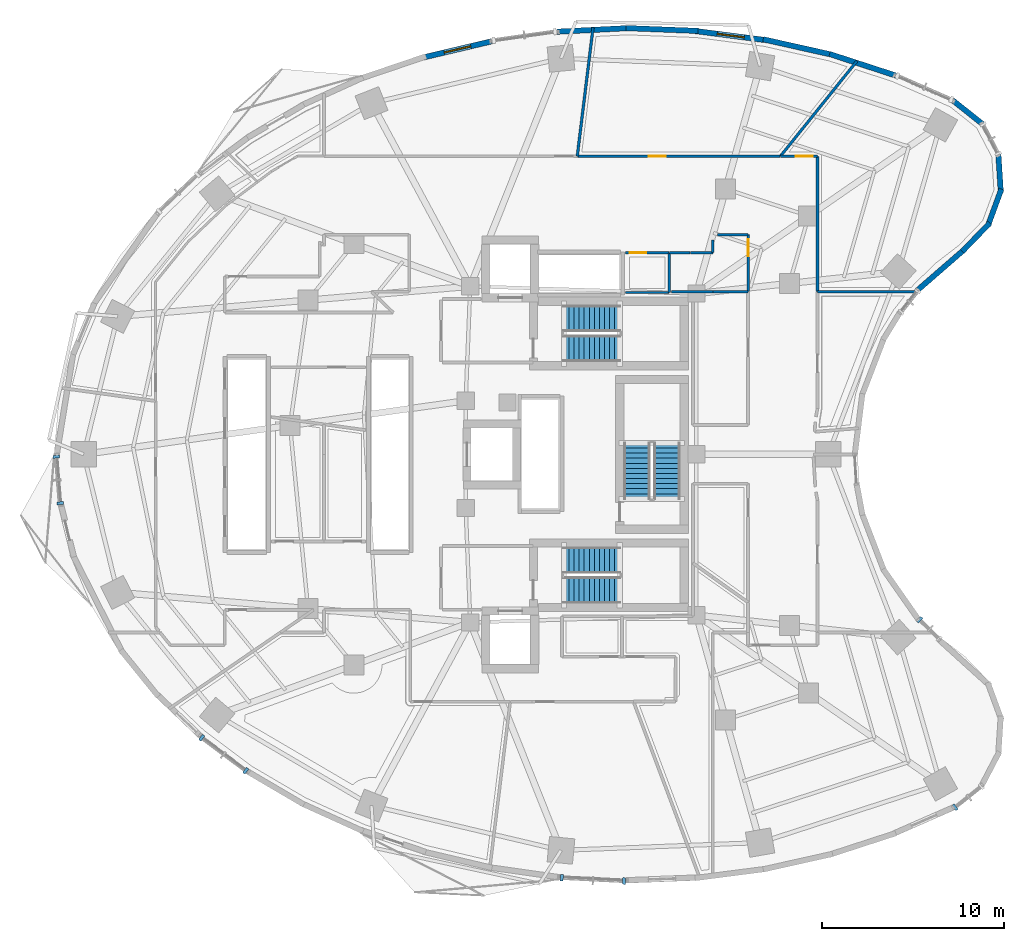
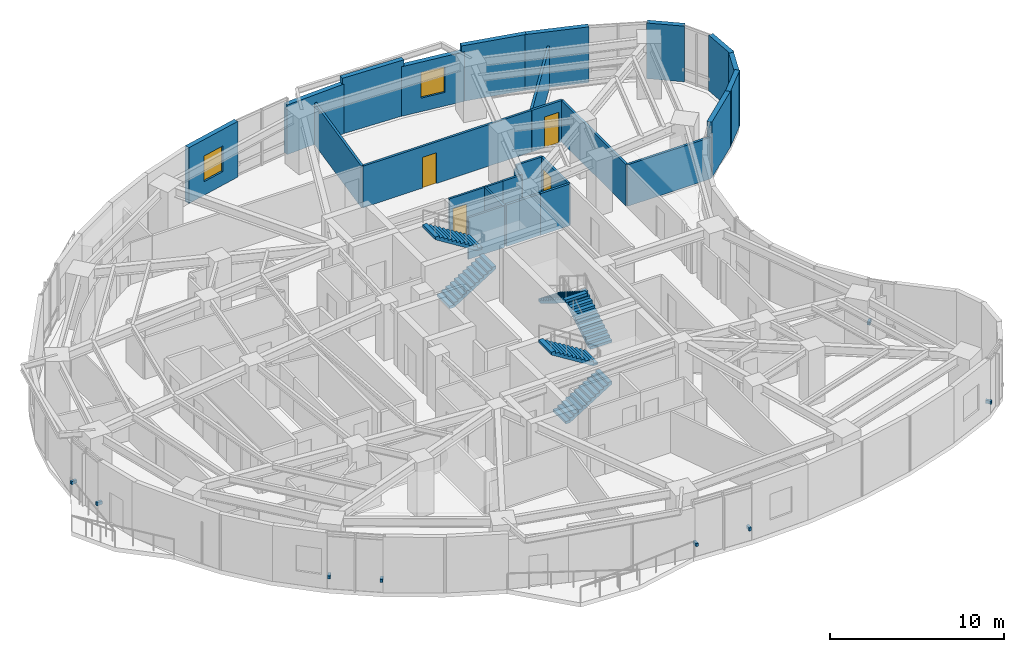
# One storey, part 12 of 16: 27 walls, 8 discrete accessories, 6 stair flights, 4 doors, 2 windows, 6 openings, 3 elements without a shape of their own.
"""IFC4 building model written with IfcOpenShell, lengths in metres."""

from ifc_helpers import new_model, si_unit, direction, frame, frame_2d, origin, origin_2d, place, context, subcontext, project, spatial, polyline, rectangle, outline, extrude, material, layer, layer_set, type_object, element, fill, aggregate, save


model = new_model("IFC4")

# Units and contexts
model_context = context("Model", 3, precision=1e-05, world=origin(), true_north=direction((0.0, 1.0)))
body_context = subcontext(model_context, "Body", "Model", "MODEL_VIEW")
ifc_project = project(units=[si_unit("LENGTHUNIT", "METRE"), si_unit("AREAUNIT", "SQUARE_METRE"), si_unit("VOLUMEUNIT", "CUBIC_METRE"), si_unit("PLANEANGLEUNIT", "RADIAN"), si_unit("MASSUNIT", "GRAM", prefix="KILO")], contexts=[model_context])

# Site, building, storey
site_placement = place(None, origin())
site = spatial("IfcSite", under=ifc_project, at=site_placement, CompositionType="ELEMENT")
building_placement = place(site_placement, origin())
building = spatial("IfcBuilding", under=site, at=building_placement, Name="Korentha Bioscience Tower", CompositionType="ELEMENT")
storey_placement = place(building_placement, frame((0.0, 0.0, 55.199951171875)))
storey = spatial("IfcBuildingStorey", under=building, at=storey_placement, Name="L12", CompositionType="ELEMENT", Elevation=55.199951171875)

# Wall, opening, door
ifc_material_1 = material(Name="Double-Stud Acoustic Gypsum", Category="gypsum")
ifc_layer_1 = layer(ifc_material_1, 0.14990234375, Name="Double-Stud Acoustic Gypsum")
ifc_layer_set_1 = layer_set([ifc_layer_1], Name="Double-Stud Acoustic Gypsum (IW-L150)")
wall_type_1 = type_object("IfcWallType", Name="Acoustic Laboratory Partition Wall 150", PredefinedType="PARTITIONING", material=ifc_layer_set_1)
wall_1_placement = place(storey_placement, frame((44.199951171875, 43.409912109375, 0.0), z_axis=(0.0, 0.0, 1.0), x_axis=(-1.0, 0.0, 0.0)))
wall_1 = element("IfcWall", 1, at=wall_1_placement, inside=storey, type_object=wall_type_1, Name="L12 Proteomics Crystallography Laboratory 13 Entrance Wall", PredefinedType="PARTITIONING", context=body_context, shape_type="SweptSolid", body=[
    extrude(rectangle(XDim=2.02978515625, YDim=0.14990234375, at=frame_2d((1.014892578125, 0.0))), origin(), (0.0, 0.0, 1.0), 2.91015625),
])
opening_1_placement = place(wall_1_placement, frame((0.239990234375, 0.0, 0.0)))
opening_1 = element("IfcOpeningElement", 2, at=opening_1_placement, cuts=wall_1, Name="Opening ID-10L", PredefinedType="OPENING", context=body_context, shape_type="SweptSolid", body=[
    extrude(rectangle(XDim=0.949951171875, YDim=2.14990234375, at=frame_2d((0.47509765625, 1.074951171875))), frame((0.0, 0.08984375, 0.0), z_axis=(0.0, -1.0, 0.0), x_axis=(1.0, 0.0, 0.0)), (0.0, 0.0, 1.0), 0.1796875),
])
ifc_material_2 = material(Name="Phenolic Laminate Timber Core", Category="wood")
door_type_1 = type_object("IfcDoorType", Name="Laboratory Single Leaf Door 950x2150 Left", OperationType="SINGLE_SWING_LEFT", PredefinedType="DOOR", material=ifc_material_2)
door_1_placement = place(opening_1_placement, origin())
door_1 = element("IfcDoor", 3, at=door_1_placement, inside=storey, type_object=door_type_1, Name="L12 Proteomics Crystallography Laboratory 13 Door", OperationType="SINGLE_SWING_LEFT", OverallHeight=2.14990234375, OverallWidth=0.949951171875, PredefinedType="DOOR", context=body_context, shape_type="SweptSolid", body=[
    extrude(rectangle(XDim=0.949951171875, YDim=2.14990234375, at=frame_2d((0.47509765625, 1.074951171875))), frame((0.0, 0.02490234375, 0.0), z_axis=(0.0, -1.0, 0.0), x_axis=(1.0, 0.0, 0.0)), (0.0, 0.0, 1.0), 0.050048828125),
])
fill(opening_1, door_1)

wall_2_placement = place(storey_placement, frame((42.16015625, 43.409912109375, 0.0), z_axis=(0.0, 0.0, 1.0), x_axis=(-1.0, 0.0, 0.0)))
wall_2 = element("IfcWall", 4, at=wall_2_placement, inside=storey, type_object=wall_type_1, Name="L12 Peptide Synthesis Wet Lab 15 Entrance Wall", PredefinedType="PARTITIONING", context=body_context, shape_type="SweptSolid", body=[
    extrude(rectangle(XDim=11.169677734375, YDim=0.14990234375, at=frame_2d((5.5849609375, 0.0))), origin(), (0.0, 0.0, 1.0), 2.91015625),
])
opening_2_placement = place(wall_2_placement, frame((6.292236328125, 0.0, 0.0)))
opening_2 = element("IfcOpeningElement", 5, at=opening_2_placement, cuts=wall_2, Name="Opening ID-10L", PredefinedType="OPENING", context=body_context, shape_type="SweptSolid", body=[
    extrude(rectangle(XDim=0.949951171875, YDim=2.14990234375, at=frame_2d((0.47509765625, 1.074951171875))), frame((0.0, 0.08984375, 0.0), z_axis=(0.0, -1.0, 0.0), x_axis=(1.0, 0.0, 0.0)), (0.0, 0.0, 1.0), 0.1796875),
])
door_2_placement = place(opening_2_placement, origin())
door_2 = element("IfcDoor", 6, at=door_2_placement, inside=storey, type_object=door_type_1, Name="L12 Peptide Synthesis Wet Lab 15 Door", OperationType="SINGLE_SWING_LEFT", OverallHeight=2.14990234375, OverallWidth=0.949951171875, PredefinedType="DOOR", context=body_context, shape_type="SweptSolid", body=[
    extrude(rectangle(XDim=0.949951171875, YDim=2.14990234375, at=frame_2d((0.47509765625, 1.074951171875))), frame((0.0, 0.02490234375, 0.0), z_axis=(0.0, -1.0, 0.0), x_axis=(1.0, 0.0, 0.0)), (0.0, 0.0, 1.0), 0.050048828125),
])
fill(opening_2, door_2)

# Walls
wall_3_placement = place(storey_placement, frame((44.2099609375, 35.947998046875, 0.0), z_axis=(0.0, 0.0, 1.0), x_axis=(1.0, 0.0, 0.0)))
element("IfcWall", 7, at=wall_3_placement, inside=storey, type_object=wall_type_1, Name="L12 Interior Partition 069", PredefinedType="PARTITIONING", context=body_context, shape_type="SweptSolid", body=[
    extrude(rectangle(XDim=5.5283203125, YDim=0.14990234375, at=frame_2d((2.76416015625, 0.0))), origin(), (0.0, 0.0, 1.0), 2.91015625),
])
wall_4_placement = place(storey_placement, frame((44.2099609375, 35.9580078125, 0.0), z_axis=(0.0, 0.0, 1.0), x_axis=(0.0, 1.0, 0.0)))
element("IfcWall", 8, at=wall_4_placement, inside=storey, type_object=wall_type_1, Name="L12 Interior Partition 074", PredefinedType="PARTITIONING", context=body_context, shape_type="SweptSolid", body=[
    extrude(rectangle(XDim=7.44189453125, YDim=0.14990234375, at=frame_2d((3.720947265625, 0.0))), origin(), (0.0, 0.0, 1.0), 2.91015625),
])
wall_5_placement = place(storey_placement, frame((42.170166015625, 43.409912109375, 0.0), z_axis=(0.0, 0.0, 1.0), x_axis=(0.626591923984, 0.779347522481, 0.0)))
element("IfcWall", 9, at=wall_5_placement, inside=storey, type_object=wall_type_1, Name="L12 Interior Partition 075", PredefinedType="PARTITIONING", context=body_context, shape_type="SweptSolid", body=[
    extrude(rectangle(XDim=6.72705078125, YDim=0.14990234375, at=frame_2d((3.363525390625, 0.0))), origin(), (0.0, 0.0, 1.0), 2.91015625),
])
wall_6_placement = place(storey_placement, frame((30.990478515625, 43.409912109375, 0.0), z_axis=(0.0, 0.0, 1.0), x_axis=(0.121849241754, 0.992548619607, 0.0)))
element("IfcWall", 10, at=wall_6_placement, inside=storey, type_object=wall_type_1, Name="L12 Interior Partition 082", PredefinedType="PARTITIONING", context=body_context, shape_type="SweptSolid", body=[
    extrude(rectangle(XDim=7.122802734375, YDim=0.14990234375, at=frame_2d((3.5615234375, 0.0))), origin(), (0.0, 0.0, 1.0), 2.91015625),
])

# Wall, opening, door
ifc_material_3 = material(Name="Insulated Aluminium Honeycomb Panel", Category="aluminium")
ifc_layer_2 = layer(ifc_material_3, 0.139892578125, Name="Insulated Aluminium Honeycomb Panel")
ifc_layer_set_2 = layer_set([ifc_layer_2], Name="Insulated Aluminium Honeycomb Panel (IW-F60)")
wall_type_2 = type_object("IfcWallType", Name="Cleanroom Flush Metal Panel Partition 140", PredefinedType="PARTITIONING", material=ifc_layer_set_2)
wall_7_placement = place(storey_placement, frame((40.389892578125, 39.090087890625, 0.0), z_axis=(0.0, 0.0, 1.0), x_axis=(0.0, -1.0, 0.0)))
wall_7 = element("IfcWall", 11, at=wall_7_placement, inside=storey, type_object=wall_type_2, Name="L12 NMR Spectroscopy Shielded Room 14 Entrance Wall", PredefinedType="PARTITIONING", context=body_context, shape_type="SweptSolid", body=[
    extrude(rectangle(XDim=3.132080078125, YDim=0.139892578125, at=frame_2d((1.56591796875, 0.0))), origin(), (0.0, 0.0, 1.0), 2.91015625),
])
opening_3_placement = place(wall_7_placement, frame((0.239990234375, 0.0, 0.0)))
opening_3 = element("IfcOpeningElement", 12, at=opening_3_placement, cuts=wall_7, Name="Opening ID-10R", PredefinedType="OPENING", context=body_context, shape_type="SweptSolid", body=[
    extrude(rectangle(XDim=0.949951171875, YDim=2.14990234375, at=frame_2d((0.47509765625, 1.074951171875))), frame((0.0, 0.0849609375, 0.0), z_axis=(0.0, -1.0, 0.0), x_axis=(1.0, 0.0, 0.0)), (0.0, 0.0, 1.0), 0.169677734375),
])
door_type_2 = type_object("IfcDoorType", Name="Laboratory Single Leaf Door 950x2150 Right", OperationType="SINGLE_SWING_RIGHT", PredefinedType="DOOR", material=ifc_material_2)
door_3_placement = place(opening_3_placement, origin())
door_3 = element("IfcDoor", 13, at=door_3_placement, inside=storey, type_object=door_type_2, Name="L12 NMR Spectroscopy Shielded Room 14 Door", OperationType="SINGLE_SWING_RIGHT", OverallHeight=2.14990234375, OverallWidth=0.949951171875, PredefinedType="DOOR", context=body_context, shape_type="SweptSolid", body=[
    extrude(rectangle(XDim=0.949951171875, YDim=2.14990234375, at=frame_2d((0.47509765625, 1.074951171875))), frame((0.0, 0.02490234375, 0.0), z_axis=(0.0, -1.0, 0.0), x_axis=(1.0, 0.0, 0.0)), (0.0, 0.0, 1.0), 0.050048828125),
])
fill(opening_3, door_3)

# Walls
wall_8_placement = place(storey_placement, frame((38.455078125, 38.789306640625, 0.0), z_axis=(0.0, 0.0, 1.0), x_axis=(-0.010272217479, -0.999947239382, 0.0)))
element("IfcWall", 14, at=wall_8_placement, inside=storey, type_object=wall_type_2, Name="L12 Interior Partition 076", PredefinedType="PARTITIONING", context=body_context, shape_type="SweptSolid", body=[
    extrude(rectangle(XDim=0.689208984375, YDim=0.139892578125, at=frame_2d((0.3447265625, 0.0))), origin(), (0.0, 0.0, 1.0), 2.91015625),
])
wall_9_placement = place(storey_placement, frame((38.69677734375, 39.090087890625, 0.0), z_axis=(0.0, 0.0, 1.0), x_axis=(1.0, 0.0, 0.0)))
element("IfcWall", 15, at=wall_9_placement, inside=storey, type_object=wall_type_2, Name="L12 Interior Partition 077", PredefinedType="PARTITIONING", context=body_context, shape_type="SweptSolid", body=[
    extrude(rectangle(XDim=1.693115234375, YDim=0.139892578125, at=frame_2d((0.8466796875, 0.0))), origin(), (0.0, 0.0, 1.0), 2.91015625),
])
wall_10_placement = place(storey_placement, frame((36.06005859375, 38.090087890625, 0.0), z_axis=(0.0, 0.0, 1.0), x_axis=(1.0, 0.0, 0.0)))
element("IfcWall", 16, at=wall_10_placement, inside=storey, type_object=wall_type_2, Name="L12 Interior Partition 078", PredefinedType="PARTITIONING", context=body_context, shape_type="SweptSolid", body=[
    extrude(rectangle(XDim=1.139892578125, YDim=0.139892578125, at=frame_2d((0.56982421875, 0.0))), origin(), (0.0, 0.0, 1.0), 2.91015625),
])
wall_11_placement = place(storey_placement, frame((37.2099609375, 38.10009765625, 0.0), z_axis=(0.0, 0.0, 1.0), x_axis=(1.0, 0.0, 0.0)))
element("IfcWall", 17, at=wall_11_placement, inside=storey, type_object=wall_type_2, Name="L12 Interior Partition 080", PredefinedType="PARTITIONING", context=body_context, shape_type="SweptSolid", body=[
    extrude(rectangle(XDim=1.238037109375, YDim=0.139892578125, at=frame_2d((0.619140625, 0.0))), origin(), (0.0, 0.0, 1.0), 2.91015625),
])
ifc_material_4 = material(Name="Gypsum-Clad Steel Stud", Category="steel")
ifc_layer_3 = layer(ifc_material_4, 0.159912109375, Name="Gypsum-Clad Steel Stud")
ifc_layer_set_3 = layer_set([ifc_layer_3], Name="Gypsum-Clad Steel Stud (IW-C160)")
wall_type_3 = type_object("IfcWallType", Name="Fire-Rated Corridor Partition Wall 160", PredefinedType="PARTITIONING", material=ifc_layer_set_3)
wall_12_placement = place(storey_placement, frame((36.170654296875, 35.947998046875, 0.0), z_axis=(0.0, 0.0, 1.0), x_axis=(1.0, 0.0, 0.0)))
element("IfcWall", 18, at=wall_12_placement, inside=storey, type_object=wall_type_3, Name="L12 Interior Partition 070", PredefinedType="PARTITIONING", context=body_context, shape_type="SweptSolid", body=[
    extrude(rectangle(XDim=2.27734375, YDim=0.159912109375, at=frame_2d((1.138671875, 0.0))), origin(), (0.0, 0.0, 1.0), 2.91015625),
])
wall_13_placement = place(storey_placement, frame((38.4521484375, 35.947998046875, 0.0), z_axis=(0.0, 0.0, 1.0), x_axis=(1.0, 0.0, 0.0)))
element("IfcWall", 19, at=wall_13_placement, inside=storey, type_object=wall_type_3, Name="L12 Interior Partition 071", PredefinedType="PARTITIONING", context=body_context, shape_type="SweptSolid", body=[
    extrude(rectangle(XDim=1.937744140625, YDim=0.159912109375, at=frame_2d((0.96875, 0.0))), origin(), (0.0, 0.0, 1.0), 2.91015625),
])

# Wall, opening, window
ifc_material_5 = material(Name="Honed Limestone Precast Concrete C40", Category="masonry")
ifc_layer_4 = layer(ifc_material_5, 0.300048828125, Name="Honed Limestone Precast Concrete C40")
ifc_layer_set_4 = layer_set([ifc_layer_4], Name="Honed Limestone Precast Concrete C40 (EW-ST300)")
wall_type_4 = type_object("IfcWallType", Name="Honed Limestone Cavity Spandrel Wall 300", PredefinedType="STANDARD", material=ifc_layer_set_4)
wall_14_placement = place(storey_placement, frame((41.37255859375, 49.797607421875, 0.0), z_axis=(0.0, 0.0, 1.0), x_axis=(-0.991741322416, 0.128254237408, 0.0)))
wall_14 = element("IfcWall", 20, at=wall_14_placement, inside=storey, type_object=wall_type_4, Name="L12 Honed Limestone Spandrel Wall 04", PredefinedType="STANDARD", context=body_context, shape_type="SweptSolid", body=[
    extrude(rectangle(XDim=3.91552734375, YDim=0.300048828125, at=frame_2d((1.957763671875, 0.0))), origin(), (0.0, 0.0, 1.0), 3.469970703125),
])
opening_4_placement = place(wall_14_placement, frame((1.2080078125, 0.0, 0.949951171875)))
opening_4 = element("IfcOpeningElement", 21, at=opening_4_placement, cuts=wall_14, Name="Opening WN-02", PredefinedType="OPENING", context=body_context, shape_type="SweptSolid", body=[
    extrude(rectangle(XDim=1.5, YDim=1.800048828125, at=frame_2d((0.75, 0.89990234375))), frame((0.0, 0.1650390625, 0.0), z_axis=(0.0, -1.0, 0.0), x_axis=(1.0, 0.0, 0.0)), (0.0, 0.0, 1.0), 0.329833984375),
])
ifc_material_6 = material(Name="Thermally Broken Aluminium Triple Glazing", Category="aluminium")
window_type = type_object("IfcWindowType", Name="Acoustic Operable Office Window 1500x1800", PartitioningType="DOUBLE_PANEL_VERTICAL", PredefinedType="WINDOW", material=ifc_material_6)
window_1_placement = place(opening_4_placement, origin())
window_1 = element("IfcWindow", 22, at=window_1_placement, inside=storey, type_object=window_type, Name="L12 Facade Window 04", OverallHeight=1.800048828125, OverallWidth=1.5, PartitioningType="DOUBLE_PANEL_VERTICAL", PredefinedType="WINDOW", context=body_context, shape_type="SweptSolid", body=[
    extrude(rectangle(XDim=1.5, YDim=1.800048828125, at=frame_2d((0.75, 0.89990234375))), frame((0.0, 0.030029296875, 0.0), z_axis=(0.0, -1.0, 0.0), x_axis=(1.0, 0.0, 0.0)), (0.0, 0.0, 1.0), 0.06005859375),
])
fill(opening_4, window_1)

wall_15_placement = place(storey_placement, frame((26.282470703125, 49.73486328125, 0.0), z_axis=(0.0, 0.0, 1.0), x_axis=(-0.973186156802, -0.230018921417, 0.0)))
wall_15 = element("IfcWall", 23, at=wall_15_placement, inside=storey, type_object=wall_type_4, Name="L12 Honed Limestone Spandrel Wall 08", PredefinedType="STANDARD", context=body_context, shape_type="SweptSolid", body=[
    extrude(rectangle(XDim=3.861328125, YDim=0.300048828125, at=frame_2d((1.9306640625, 0.0))), origin(), (0.0, 0.0, 1.0), 3.900146484375),
])
opening_5_placement = place(wall_15_placement, frame((1.1806640625, 0.0, 0.949951171875)))
opening_5 = element("IfcOpeningElement", 24, at=opening_5_placement, cuts=wall_15, Name="Opening WN-02", PredefinedType="OPENING", context=body_context, shape_type="SweptSolid", body=[
    extrude(rectangle(XDim=1.5, YDim=1.800048828125, at=frame_2d((0.75, 0.89990234375))), frame((0.0, 0.1650390625, 0.0), z_axis=(0.0, -1.0, 0.0), x_axis=(1.0, 0.0, 0.0)), (0.0, 0.0, 1.0), 0.329833984375),
])
window_2_placement = place(opening_5_placement, origin())
window_2 = element("IfcWindow", 25, at=window_2_placement, inside=storey, type_object=window_type, Name="L12 Facade Window 08", OverallHeight=1.800048828125, OverallWidth=1.5, PartitioningType="DOUBLE_PANEL_VERTICAL", PredefinedType="WINDOW", context=body_context, shape_type="SweptSolid", body=[
    extrude(rectangle(XDim=1.5, YDim=1.800048828125, at=frame_2d((0.75, 0.89990234375))), frame((0.0, 0.030029296875, 0.0), z_axis=(0.0, -1.0, 0.0), x_axis=(1.0, 0.0, 0.0)), (0.0, 0.0, 1.0), 0.06005859375),
])
fill(opening_5, window_2)

# Walls
wall_16_placement = place(storey_placement, frame((48.524658203125, 47.84912109375, 0.0), z_axis=(0.0, 0.0, 1.0), x_axis=(-0.950965833732, 0.309295947393, 0.0)))
element("IfcWall", 26, at=wall_16_placement, inside=storey, type_object=wall_type_4, Name="L12 Limestone Perimeter Closure Wall 02", PredefinedType="STANDARD", context=body_context, shape_type="SweptSolid", body=[
    extrude(rectangle(XDim=3.840087890625, YDim=0.300048828125, at=frame_2d((1.919921875, 0.0))), origin(), (0.0, 0.0, 1.0), 3.900146484375),
])
wall_17_placement = place(storey_placement, frame((45.03955078125, 48.9912109375, 0.0), z_axis=(0.0, 0.0, 1.0), x_axis=(-0.975868573345, 0.218358713032, 0.0)))
element("IfcWall", 27, at=wall_17_placement, inside=storey, type_object=wall_type_4, Name="L12 Limestone Perimeter Closure Wall 03", PredefinedType="STANDARD", context=body_context, shape_type="SweptSolid", body=[
    extrude(rectangle(XDim=3.90869140625, YDim=0.300048828125, at=frame_2d((1.954345703125, 0.0))), origin(), (0.0, 0.0, 1.0), 3.900146484375),
])
wall_18_placement = place(storey_placement, frame((37.643798828125, 50.307861328125, 0.0), z_axis=(0.0, 0.0, 1.0), x_axis=(-0.999245411623, 0.038840794937, 0.0)))
element("IfcWall", 28, at=wall_18_placement, inside=storey, type_object=wall_type_4, Name="L12 Limestone Perimeter Closure Wall 05", PredefinedType="STANDARD", context=body_context, shape_type="SweptSolid", body=[
    extrude(rectangle(XDim=3.978759765625, YDim=0.300048828125, at=frame_2d((1.9892578125, 0.0))), origin(), (0.0, 0.0, 1.0), 3.900146484375),
])
wall_19_placement = place(storey_placement, frame((33.84033203125, 50.46337890625, 0.0), z_axis=(0.0, 0.0, 1.0), x_axis=(-0.998732359232, -0.050335619826, 0.0)))
element("IfcWall", 29, at=wall_19_placement, inside=storey, type_object=wall_type_4, Name="L12 Limestone Perimeter Closure Wall 06", PredefinedType="STANDARD", context=body_context, shape_type="SweptSolid", body=[
    extrude(rectangle(XDim=3.977294921875, YDim=0.300048828125, at=frame_2d((1.98876953125, 0.0))), origin(), (0.0, 0.0, 1.0), 3.469970703125),
])
wall_20_placement = place(storey_placement, frame((49.708984375, 36.029296875, 0.0), z_axis=(0.0, 0.0, 1.0), x_axis=(0.754746490246, 0.656016566454, 0.0)))
element("IfcWall", 30, at=wall_20_placement, inside=storey, type_object=wall_type_4, Name="L12 Limestone Perimeter Closure Wall 56", PredefinedType="STANDARD", context=body_context, shape_type="SweptSolid", body=[
    extrude(rectangle(XDim=3.4296875, YDim=0.300048828125, at=frame_2d((1.71484375, 0.0))), origin(), (0.0, 0.0, 1.0), 3.900146484375),
])
wall_21_placement = place(storey_placement, frame((52.1728515625, 38.1611328125, 0.0), z_axis=(0.0, 0.0, 1.0), x_axis=(0.695404695719, 0.718618333451, 0.0)))
element("IfcWall", 31, at=wall_21_placement, inside=storey, type_object=wall_type_4, Name="L12 Limestone Perimeter Closure Wall 58", PredefinedType="STANDARD", context=body_context, shape_type="SweptSolid", body=[
    extrude(rectangle(XDim=2.1875, YDim=0.300048828125, at=frame_2d((1.09375, 0.0))), origin(), (0.0, 0.0, 1.0), 3.900146484375),
])
for number, where, z_axis, x_axis, name in (
    (32, (53.580078125, 39.551513671875, 0.0), (0.0, 0.0, 1.0), (0.344939866054, 0.938624785954, 0.0), "L12 Limestone Perimeter Closure Wall 59"),
    (33, (54.303955078125, 41.392578125, 0.0), (0.0, 0.0, 1.0), (-0.064615302336, 0.99791024782, 0.0), "L12 Limestone Perimeter Closure Wall 60"),
    (34, (53.343994140625, 45.142822265625, 0.0), (0.0, 0.0, 1.0), (-0.782282158644, 0.622924252432, 0.0), "L12 Limestone Perimeter Closure Wall 62"),
):
    element("IfcWall", number, at=place(storey_placement, frame(where, z_axis=z_axis, x_axis=x_axis)), inside=storey, type_object=wall_type_4, Name=name, PredefinedType="STANDARD", context=body_context, shape_type="SweptSolid", body=[
        extrude(rectangle(XDim=2.187744140625, YDim=0.300048828125, at=frame_2d((1.09375, 0.0))), origin(), (0.0, 0.0, 1.0), 3.900146484375),
    ])

# Wall, opening, door
ifc_material_7 = material(Name="Cement-Board Steel Stud", Category="steel")
ifc_layer_5 = layer(ifc_material_7, 0.1298828125, Name="Cement-Board Steel Stud")
ifc_layer_set_5 = layer_set([ifc_layer_5], Name="Cement-Board Steel Stud (IW-W130)")
wall_type_5 = type_object("IfcWallType", Name="Wet-Area Moisture-Resistant Partition 130", PredefinedType="PARTITIONING", material=ifc_layer_set_5)
wall_22_placement = place(storey_placement, frame((33.64990234375, 38.090087890625, 0.0), z_axis=(0.0, 0.0, 1.0), x_axis=(1.0, 0.0, 0.0)))
wall_22 = element("IfcWall", 35, at=wall_22_placement, inside=storey, type_object=wall_type_5, Name="L12 Accessible Staff WC Entrance Wall", PredefinedType="PARTITIONING", context=body_context, shape_type="SweptSolid", body=[
    extrude(rectangle(XDim=2.400146484375, YDim=0.1298828125, at=frame_2d((1.2001953125, 0.0))), origin(), (0.0, 0.0, 1.0), 2.91015625),
])
opening_6_placement = place(wall_22_placement, frame((0.239990234375, 0.0, 0.0)))
opening_6 = element("IfcOpeningElement", 36, at=opening_6_placement, cuts=wall_22, Name="Opening ID-09R", PredefinedType="OPENING", context=body_context, shape_type="SweptSolid", body=[
    extrude(rectangle(XDim=0.89990234375, YDim=2.14990234375, at=frame_2d((0.449951171875, 1.074951171875))), frame((0.0, 0.079833984375, 0.0), z_axis=(0.0, -1.0, 0.0), x_axis=(1.0, 0.0, 0.0)), (0.0, 0.0, 1.0), 0.15966796875),
])
ifc_material_8 = material(Name="Moisture-Resistant HPL Leaf", Category="wood")
door_type_3 = type_object("IfcDoorType", Name="Restroom & Accessible WC Door 900x2150 Right", OperationType="SINGLE_SWING_RIGHT", PredefinedType="DOOR", material=ifc_material_8)
door_4_placement = place(opening_6_placement, origin())
door_4 = element("IfcDoor", 37, at=door_4_placement, inside=storey, type_object=door_type_3, Name="L12 Accessible Staff WC Door", OperationType="SINGLE_SWING_RIGHT", OverallHeight=2.14990234375, OverallWidth=0.89990234375, PredefinedType="DOOR", context=body_context, shape_type="SweptSolid", body=[
    extrude(rectangle(XDim=0.89990234375, YDim=2.14990234375, at=frame_2d((0.449951171875, 1.074951171875))), frame((0.0, 0.02490234375, 0.0), z_axis=(0.0, -1.0, 0.0), x_axis=(1.0, 0.0, 0.0)), (0.0, 0.0, 1.0), 0.050048828125),
])
fill(opening_6, door_4)

# Walls
wall_23_placement = place(storey_placement, frame((36.050048828125, 35.909912109375, 0.0), z_axis=(0.0, 0.0, 1.0), x_axis=(-1.0, 0.0, 0.0)))
element("IfcWall", 38, at=wall_23_placement, inside=storey, type_object=wall_type_5, Name="L12 Interior Partition 026", PredefinedType="PARTITIONING", context=body_context, shape_type="SweptSolid", body=[
    extrude(rectangle(XDim=2.400146484375, YDim=0.1298828125, at=frame_2d((1.2001953125, 0.0))), origin(), (0.0, 0.0, 1.0), 2.91015625),
])
wall_24_placement = place(storey_placement, frame((36.050048828125, 38.090087890625, 0.0), z_axis=(0.0, 0.0, 1.0), x_axis=(0.0, -1.0, 0.0)))
element("IfcWall", 39, at=wall_24_placement, inside=storey, type_object=wall_type_5, Name="L12 Interior Partition 027", PredefinedType="PARTITIONING", context=body_context, shape_type="SweptSolid", body=[
    extrude(rectangle(XDim=2.18017578125, YDim=0.1298828125, at=frame_2d((1.090087890625, 0.0))), origin(), (0.0, 0.0, 1.0), 2.91015625),
])

# Stair, stair flights
ifc_material_9 = material(Name="Precast Concrete C50", Category="concrete")
stair_type = type_object("IfcStairType", Name="Core Exit Dog-Leg Stair 1450", PredefinedType="HALF_TURN_STAIR", material=ifc_material_9)
stair_1_placement = place(storey_placement, origin())
stair_1 = element("IfcStair", 40, at=stair_1_placement, inside=storey, type_object=stair_type, Name="L12 Tower North Pressurized Exit Stair ST-1", PredefinedType="HALF_TURN_STAIR")
stair_flight_type = type_object("IfcStairFlightType", Name="Core Exit Dog-Leg Stair 1450 Flight", PredefinedType="STRAIGHT", material=ifc_material_9)
stair_flight_1_placement = place(storey_placement, frame((30.25, 32.824951171875, 0.0), z_axis=(0.0, 0.0, 1.0), x_axis=(1.0, 0.0, 0.0)))
stair_flight_1 = element("IfcStairFlight", 41, at=stair_flight_1_placement, type_object=stair_flight_type, Name="ST-1 flight 1", NumberOfRisers=12, NumberOfTreads=11, PredefinedType="STRAIGHT", RiserHeight=0.175, TreadLength=0.28, context=body_context, shape_type="SweptSolid", body=[
    extrude(outline(polyline([(0.0, 0.0), (0.0, 0.175048828125), (0.280029296875, 0.175048828125), (0.280029296875, 0.35009765625), (0.56005859375, 0.35009765625), (0.56005859375, 0.52490234375), (0.840087890625, 0.52490234375), (0.840087890625, 0.699951171875), (1.1201171875, 0.699951171875), (1.1201171875, 0.875), (1.39990234375, 0.875), (1.39990234375, 1.050048828125), (1.679931640625, 1.050048828125), (1.679931640625, 1.22509765625), (1.9599609375, 1.22509765625), (1.9599609375, 1.39990234375), (2.239990234375, 1.39990234375), (2.239990234375, 1.574951171875), (2.52001953125, 1.574951171875), (2.52001953125, 1.75), (2.800048828125, 1.75), (2.800048828125, 1.925048828125), (3.080078125, 1.925048828125), (3.080078125, 2.10009765625), (3.080078125, 1.736328125), (0.3017578125, 0.0), (0.0, 0.0)])), frame((0.0, 0.72509765625, 0.0), z_axis=(0.0, -1.0, 0.0), x_axis=(1.0, 0.0, 0.0)), (0.0, 0.0, 1.0), 1.449951171875),
])
stair_flight_2_placement = place(storey_placement, frame((33.330078125, 34.47509765625, 2.10009765625), z_axis=(0.0, 0.0, 1.0), x_axis=(-1.0, 0.0, 0.0)))
stair_flight_2 = element("IfcStairFlight", 42, at=stair_flight_2_placement, type_object=stair_flight_type, Name="ST-1 flight 2", NumberOfRisers=12, NumberOfTreads=11, PredefinedType="STRAIGHT", RiserHeight=0.175, TreadLength=0.28, context=body_context, shape_type="SweptSolid", body=[
    extrude(outline(polyline([(0.0, 0.0), (0.0, 0.175048828125), (0.280029296875, 0.175048828125), (0.280029296875, 0.35009765625), (0.56005859375, 0.35009765625), (0.56005859375, 0.52490234375), (0.840087890625, 0.52490234375), (0.840087890625, 0.699951171875), (1.1201171875, 0.699951171875), (1.1201171875, 0.875), (1.39990234375, 0.875), (1.39990234375, 1.050048828125), (1.679931640625, 1.050048828125), (1.679931640625, 1.22509765625), (1.9599609375, 1.22509765625), (1.9599609375, 1.39990234375), (2.239990234375, 1.39990234375), (2.239990234375, 1.574951171875), (2.52001953125, 1.574951171875), (2.52001953125, 1.75), (2.800048828125, 1.75), (2.800048828125, 1.925048828125), (3.080078125, 1.925048828125), (3.080078125, 2.10009765625), (3.080078125, 1.736328125), (0.3017578125, 0.0), (0.0, 0.0)])), frame((0.0, 0.72509765625, 0.0), z_axis=(0.0, -1.0, 0.0), x_axis=(1.0, 0.0, 0.0)), (0.0, 0.0, 1.0), 1.449951171875),
])
aggregate(stair_1, [stair_flight_1, stair_flight_2])

stair_2_placement = place(storey_placement, origin())
stair_2 = element("IfcStair", 43, at=stair_2_placement, inside=storey, type_object=stair_type, Name="L12 Tower South Pressurized Exit Stair ST-2", PredefinedType="HALF_TURN_STAIR")
stair_flight_3_placement = place(storey_placement, frame((30.25, 19.52490234375, 0.0), z_axis=(0.0, 0.0, 1.0), x_axis=(1.0, 0.0, 0.0)))
stair_flight_3 = element("IfcStairFlight", 44, at=stair_flight_3_placement, type_object=stair_flight_type, Name="ST-2 flight 1", NumberOfRisers=12, NumberOfTreads=11, PredefinedType="STRAIGHT", RiserHeight=0.175, TreadLength=0.28, context=body_context, shape_type="SweptSolid", body=[
    extrude(outline(polyline([(0.0, 0.0), (0.0, 0.175048828125), (0.280029296875, 0.175048828125), (0.280029296875, 0.35009765625), (0.56005859375, 0.35009765625), (0.56005859375, 0.52490234375), (0.840087890625, 0.52490234375), (0.840087890625, 0.699951171875), (1.1201171875, 0.699951171875), (1.1201171875, 0.875), (1.39990234375, 0.875), (1.39990234375, 1.050048828125), (1.679931640625, 1.050048828125), (1.679931640625, 1.22509765625), (1.9599609375, 1.22509765625), (1.9599609375, 1.39990234375), (2.239990234375, 1.39990234375), (2.239990234375, 1.574951171875), (2.52001953125, 1.574951171875), (2.52001953125, 1.75), (2.800048828125, 1.75), (2.800048828125, 1.925048828125), (3.080078125, 1.925048828125), (3.080078125, 2.10009765625), (3.080078125, 1.736328125), (0.3017578125, 0.0), (0.0, 0.0)])), frame((0.0, 0.72509765625, 0.0), z_axis=(0.0, -1.0, 0.0), x_axis=(1.0, 0.0, 0.0)), (0.0, 0.0, 1.0), 1.449951171875),
])
stair_flight_4_placement = place(storey_placement, frame((33.330078125, 21.175048828125, 2.10009765625), z_axis=(0.0, 0.0, 1.0), x_axis=(-1.0, 0.0, 0.0)))
stair_flight_4 = element("IfcStairFlight", 45, at=stair_flight_4_placement, type_object=stair_flight_type, Name="ST-2 flight 2", NumberOfRisers=12, NumberOfTreads=11, PredefinedType="STRAIGHT", RiserHeight=0.175, TreadLength=0.28, context=body_context, shape_type="SweptSolid", body=[
    extrude(outline(polyline([(0.0, 0.0), (0.0, 0.175048828125), (0.280029296875, 0.175048828125), (0.280029296875, 0.35009765625), (0.56005859375, 0.35009765625), (0.56005859375, 0.52490234375), (0.840087890625, 0.52490234375), (0.840087890625, 0.699951171875), (1.1201171875, 0.699951171875), (1.1201171875, 0.875), (1.39990234375, 0.875), (1.39990234375, 1.050048828125), (1.679931640625, 1.050048828125), (1.679931640625, 1.22509765625), (1.9599609375, 1.22509765625), (1.9599609375, 1.39990234375), (2.239990234375, 1.39990234375), (2.239990234375, 1.574951171875), (2.52001953125, 1.574951171875), (2.52001953125, 1.75), (2.800048828125, 1.75), (2.800048828125, 1.925048828125), (3.080078125, 1.925048828125), (3.080078125, 2.10009765625), (3.080078125, 1.736328125), (0.3017578125, 0.0), (0.0, 0.0)])), frame((0.0, 0.72509765625, 0.0), z_axis=(0.0, -1.0, 0.0), x_axis=(1.0, 0.0, 0.0)), (0.0, 0.0, 1.0), 1.449951171875),
])
aggregate(stair_2, [stair_flight_3, stair_flight_4])

stair_3_placement = place(storey_placement, origin())
stair_3 = element("IfcStair", 46, at=stair_3_placement, inside=storey, type_object=stair_type, Name="L12 Tower Central Pressurized Exit Stair ST-3", PredefinedType="HALF_TURN_STAIR")
stair_flight_5_placement = place(storey_placement, frame((35.925048828125, 24.550048828125, 0.0), z_axis=(0.0, 0.0, 1.0), x_axis=(0.0, 1.0, 0.0)))
stair_flight_5 = element("IfcStairFlight", 47, at=stair_flight_5_placement, type_object=stair_flight_type, Name="ST-3 flight 1", NumberOfRisers=12, NumberOfTreads=11, PredefinedType="STRAIGHT", RiserHeight=0.175, TreadLength=0.28, context=body_context, shape_type="SweptSolid", body=[
    extrude(outline(polyline([(0.0, 0.0), (0.0, 0.175048828125), (0.280029296875, 0.175048828125), (0.280029296875, 0.35009765625), (0.56005859375, 0.35009765625), (0.56005859375, 0.52490234375), (0.840087890625, 0.52490234375), (0.840087890625, 0.699951171875), (1.1201171875, 0.699951171875), (1.1201171875, 0.875), (1.39990234375, 0.875), (1.39990234375, 1.050048828125), (1.679931640625, 1.050048828125), (1.679931640625, 1.22509765625), (1.9599609375, 1.22509765625), (1.9599609375, 1.39990234375), (2.239990234375, 1.39990234375), (2.239990234375, 1.574951171875), (2.52001953125, 1.574951171875), (2.52001953125, 1.75), (2.800048828125, 1.75), (2.800048828125, 1.925048828125), (3.080078125, 1.925048828125), (3.080078125, 2.10009765625), (3.080078125, 1.736328125), (0.3017578125, 0.0), (0.0, 0.0)])), frame((0.0, 0.72509765625, 0.0), z_axis=(0.0, -1.0, 0.0), x_axis=(1.0, 0.0, 0.0)), (0.0, 0.0, 1.0), 1.449951171875),
])
stair_flight_6_placement = place(storey_placement, frame((34.27490234375, 27.6298828125, 2.10009765625), z_axis=(0.0, 0.0, 1.0), x_axis=(0.0, -1.0, 0.0)))
stair_flight_6 = element("IfcStairFlight", 48, at=stair_flight_6_placement, type_object=stair_flight_type, Name="ST-3 flight 2", NumberOfRisers=12, NumberOfTreads=11, PredefinedType="STRAIGHT", RiserHeight=0.175, TreadLength=0.28, context=body_context, shape_type="SweptSolid", body=[
    extrude(outline(polyline([(0.0, 0.0), (0.0, 0.175048828125), (0.280029296875, 0.175048828125), (0.280029296875, 0.35009765625), (0.56005859375, 0.35009765625), (0.56005859375, 0.52490234375), (0.840087890625, 0.52490234375), (0.840087890625, 0.699951171875), (1.1201171875, 0.699951171875), (1.1201171875, 0.875), (1.39990234375, 0.875), (1.39990234375, 1.050048828125), (1.679931640625, 1.050048828125), (1.679931640625, 1.22509765625), (1.9599609375, 1.22509765625), (1.9599609375, 1.39990234375), (2.239990234375, 1.39990234375), (2.239990234375, 1.574951171875), (2.52001953125, 1.574951171875), (2.52001953125, 1.75), (2.800048828125, 1.75), (2.800048828125, 1.925048828125), (3.080078125, 1.925048828125), (3.080078125, 2.10009765625), (3.080078125, 1.736328125), (0.3017578125, 0.0), (0.0, 0.0)])), frame((0.0, 0.72509765625, 0.0), z_axis=(0.0, -1.0, 0.0), x_axis=(1.0, 0.0, 0.0)), (0.0, 0.0, 1.0), 1.449951171875),
])
aggregate(stair_3, [stair_flight_5, stair_flight_6])

# Discrete accessories
ifc_material_10 = material(Name="Stainless Steel 316", Category="steel")
discrete_accessory_type = type_object("IfcDiscreteAccessoryType", Name="Stainless Steel Solar-Screen Outrigger Bracket", PredefinedType="BRACKET", material=ifc_material_10)
for number, where, z_axis, x_axis, name in (
    (49, (2.320556640625, 26.8740234375, 0.740234375), (0.0, 0.0, 1.0), (0.080820466375, -0.996728675325, 0.0), "CW-L12-19 Solar-Screen Support Bracket 1"),
    (50, (2.5283203125, 24.31298828125, 0.740234375), (0.0, 0.0, 1.0), (0.080820466375, -0.996728675325, 0.0), "CW-L12-19 Solar-Screen Support Bracket 2"),
    (51, (10.3212890625, 11.402099609375, 0.740234375), (0.0, 0.0, 1.0), (0.800797909614, -0.598934644145, 0.0), "CW-L12-25 Solar-Screen Support Bracket 1"),
    (52, (12.74609375, 9.58837890625, 0.740234375), (0.0, 0.0, 1.0), (0.800797909614, -0.598934644145, 0.0), "CW-L12-25 Solar-Screen Support Bracket 2"),
    (53, (30.14013671875, 3.693115234375, 0.740234375), (0.0, 0.0, 1.0), (0.998730551641, -0.050371472279, 0.0), "CW-L12-31 Solar-Screen Support Bracket 1"),
    (54, (33.565185546875, 3.520263671875, 0.740234375), (0.0, 0.0, 1.0), (0.998730551641, -0.050371472279, 0.0), "CW-L12-31 Solar-Screen Support Bracket 2"),
    (55, (51.781494140625, 7.57470703125, 0.740234375), (0.0, 0.0, 1.0), (0.782287851332, 0.62291710336, 0.0), "CW-L12-37 Solar-Screen Support Bracket 1"),
    (56, (49.829345703125, 17.901123046875, 0.740234375), (0.0, 0.0, 1.0), (-0.713279246754, 0.700879958445, 0.0), "CW-L12-43 Solar-Screen Support Bracket 2"),
):
    element("IfcDiscreteAccessory", number, at=place(storey_placement, frame(where, z_axis=z_axis, x_axis=x_axis)), inside=storey, type_object=discrete_accessory_type, Name=name, PredefinedType="BRACKET", context=body_context, shape_type="SweptSolid", body=[
        extrude(rectangle(XDim=0.159912109375, YDim=0.360107421875, at=origin_2d()), origin(), (0.0, 0.0, 1.0), 0.219970703125),
    ])

save(model, "model.ifc")
